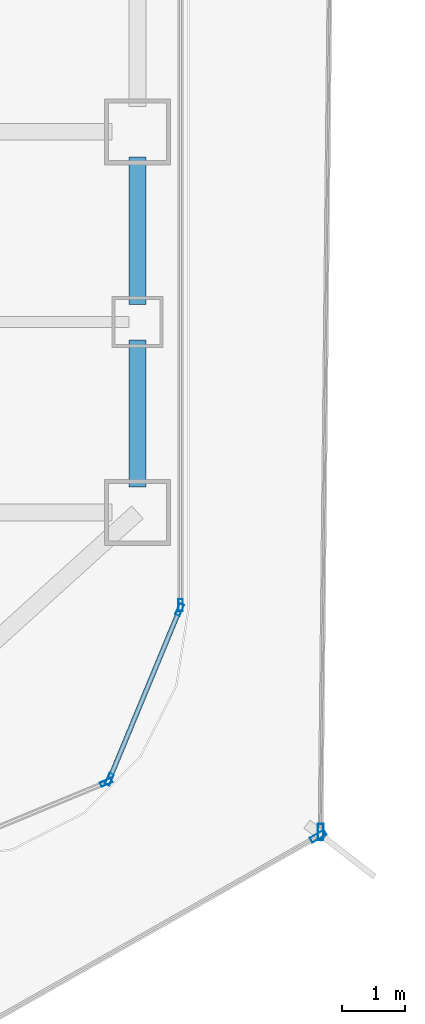
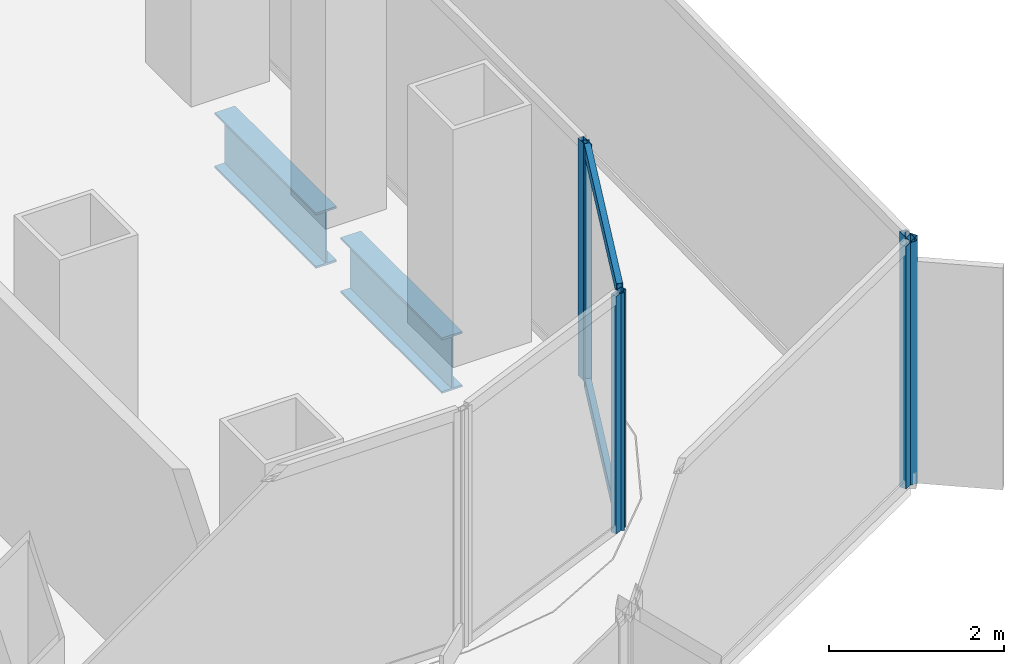
# One storey, part 8 of 21: 8 members, 2 beams, 5 elements without a shape of their own.
"""IFC4 building model written with IfcOpenShell, lengths in metres."""

from ifc_helpers import new_model, si_unit, direction, frame, origin, origin_2d, place, context, subcontext, project, spatial, hollow_rectangle, i_section, extrude, source, transform, mapped, material, layer, layer_set, material_profile, profile_set, type_object, element, aggregate, save


model = new_model("IFC4")

# Units and contexts
model_context = context("Model", 3, precision=1e-05, world=origin(), true_north=direction((0.0, 1.0)))
body_context = subcontext(model_context, "Body", "Model", "MODEL_VIEW")
ifc_project = project(units=[si_unit("LENGTHUNIT", "METRE"), si_unit("AREAUNIT", "SQUARE_METRE"), si_unit("VOLUMEUNIT", "CUBIC_METRE"), si_unit("PLANEANGLEUNIT", "RADIAN"), si_unit("MASSUNIT", "GRAM", prefix="KILO")], contexts=[model_context])

# Site, building, storey
site_placement = place(None, origin())
site = spatial("IfcSite", under=ifc_project, at=site_placement, CompositionType="ELEMENT")
building_placement = place(site_placement, origin())
building = spatial("IfcBuilding", under=site, at=building_placement, Name="Kolveth Station Tower", CompositionType="ELEMENT")
storey_placement = place(building_placement, frame((0.0, 0.0, 40.5)))
storey = spatial("IfcBuildingStorey", under=building, at=storey_placement, Name="L10", CompositionType="ELEMENT", Elevation=40.5)

# Beams
ifc_material_1 = material(Name="Steel S355", Category="steel")
ifc_material_profile_1 = material_profile(ifc_material_1, i_section(OverallWidth=0.26904296875, OverallDepth=0.77490234375, WebThickness=0.01708984375, FlangeThickness=0.0283203125, at=origin_2d()), Name="W760x220")
ifc_profile_set_1 = profile_set([ifc_material_profile_1], Name="Steel S355")
beam_type = type_object("IfcBeamType", Name="Beam_SP1", PredefinedType="SPANDREL", material=ifc_profile_set_1)
shared_shape_1 = source(origin(), body_context, "Body", "SweptSolid", [
    extrude(i_section(OverallWidth=0.26904296875, OverallDepth=0.77490234375, WebThickness=0.01708984375, FlangeThickness=0.0283203125, at=origin_2d()), origin(), (0.0, 0.0, 1.0), 2.320068359375),
])
for number, where, z_axis, x_axis, name in (
    (1, (46.199951171875, 5.89990234375, -0.66748046875), (0.0, 1.0, 0.0), (-1.0, 0.0, 0.0), "L10 Perimeter Spandrel BM-L10-PE-1"),
    (2, (46.199951171875, 8.780029296875, -0.66748046875), (0.0, 1.0, 0.0), (-1.0, 0.0, 0.0), "L10 Perimeter Spandrel BM-L10-PE-2"),
):
    element("IfcBeam", number, at=place(storey_placement, frame(where, z_axis=z_axis, x_axis=x_axis)), inside=storey, type_object=beam_type, Name=name, PredefinedType="SPANDREL", context=body_context, shape_type="MappedRepresentation", body=[
        mapped(shared_shape_1, transform((0.0, 0.0, 0.0), x_axis=(1.0, 0.0, 0.0), y_axis=(0.0, 1.0, 0.0), z_axis=(0.0, 0.0, 1.0), scale=1.0)),
    ])

# Curtain wall, member
ifc_material_2 = material(Name="Aluminium 6063-T6 and low-E dark glass", Category="aluminium")
ifc_layer_1 = layer(ifc_material_2, 0.179931640625)
ifc_layer_set_1 = layer_set([ifc_layer_1], Name="Aluminium 6063-T6 and low-E dark glass")
curtain_wall_type_1 = type_object("IfcCurtainWallType", Name="CurtainWall_CW-Z1", PredefinedType="NOTDEFINED", material=ifc_layer_set_1)
curtain_wall_1_placement = place(storey_placement, origin())
curtain_wall_1 = element("IfcCurtainWall", 3, at=curtain_wall_1_placement, inside=storey, type_object=curtain_wall_type_1, Name="L10 Inner Thermal Curtain Wall 1", PredefinedType="NOTDEFINED")
ifc_material_3 = material(Name="Black anodized aluminium 6063-T6", Category="aluminium")
ifc_material_profile_2 = material_profile(ifc_material_3, hollow_rectangle(XDim=0.074951171875, YDim=0.18994140625, WallThickness=0.0048828125, at=origin_2d()), Name="ALU-75x190x5")
ifc_profile_set_2 = profile_set([ifc_material_profile_2], Name="Black anodized aluminium 6063-T6")
member_type_1 = type_object("IfcMemberType", Name="Mullion_ML1", PredefinedType="MULLION", material=ifc_profile_set_2)
shared_shape_2 = source(origin(), body_context, "Body", "SweptSolid", [
    extrude(hollow_rectangle(XDim=0.074951171875, YDim=0.18994140625, WallThickness=0.0048828125, at=origin_2d()), origin(), (0.0, 0.0, 1.0), 3.320068359375),
])
member_1_placement = place(storey_placement, frame((45.708984375, 1.241943359375, 0.0), z_axis=(0.0, 0.0, 1.0), x_axis=(-0.382672990201, 0.923883857728, 0.0)))
member_1 = element("IfcMember", 4, at=member_1_placement, type_object=member_type_1, Name="CW-Z1 mullion 2", PredefinedType="MULLION", context=body_context, shape_type="MappedRepresentation", body=[
    mapped(shared_shape_2, transform((0.0, 0.0, 0.0), x_axis=(1.0, 0.0, 0.0), y_axis=(0.0, 1.0, 0.0), z_axis=(0.0, 0.0, 1.0), scale=1.0)),
])
aggregate(curtain_wall_1, [member_1])

# Curtain wall, members
curtain_wall_2_placement = place(storey_placement, origin())
curtain_wall_2 = element("IfcCurtainWall", 5, at=curtain_wall_2_placement, inside=storey, type_object=curtain_wall_type_1, Name="L10 Inner Thermal Curtain Wall 2", PredefinedType="NOTDEFINED")
member_2_placement = place(storey_placement, frame((45.758056640625, 1.291015625, 0.0), z_axis=(0.0, 0.0, 1.0), x_axis=(-0.923883857728, 0.382672990201, 0.0)))
member_2 = element("IfcMember", 6, at=member_2_placement, type_object=member_type_1, Name="CW-Z1 mullion 1", PredefinedType="MULLION", context=body_context, shape_type="MappedRepresentation", body=[
    mapped(shared_shape_2, transform((0.0, 0.0, 0.0), x_axis=(1.0, 0.0, 0.0), y_axis=(0.0, 1.0, 0.0), z_axis=(0.0, 0.0, 1.0), scale=1.0)),
])
member_3_placement = place(storey_placement, frame((46.86572265625, 3.96533203125, 0.0), z_axis=(0.0, 0.0, 1.0), x_axis=(-0.923883857728, 0.382672990201, 0.0)))
member_3 = element("IfcMember", 7, at=member_3_placement, type_object=member_type_1, Name="CW-Z1 mullion 2", PredefinedType="MULLION", context=body_context, shape_type="MappedRepresentation", body=[
    mapped(shared_shape_2, transform((0.0, 0.0, 0.0), x_axis=(1.0, 0.0, 0.0), y_axis=(0.0, 1.0, 0.0), z_axis=(0.0, 0.0, 1.0), scale=1.0)),
])

# Curtain wall, member
curtain_wall_3_placement = place(storey_placement, origin())
curtain_wall_3 = element("IfcCurtainWall", 8, at=curtain_wall_3_placement, inside=storey, type_object=curtain_wall_type_1, Name="L10 Inner Thermal Curtain Wall 3", PredefinedType="NOTDEFINED")
member_4_placement = place(storey_placement, frame((46.8798828125, 4.03759765625, 0.0), z_axis=(0.0, 0.0, 1.0), x_axis=(-1.0, 0.0, 0.0)))
member_4 = element("IfcMember", 9, at=member_4_placement, type_object=member_type_1, Name="CW-Z1 mullion 1", PredefinedType="MULLION", context=body_context, shape_type="MappedRepresentation", body=[
    mapped(shared_shape_2, transform((0.0, 0.0, 0.0), x_axis=(1.0, 0.0, 0.0), y_axis=(0.0, 1.0, 0.0), z_axis=(0.0, 0.0, 1.0), scale=1.0)),
])
aggregate(curtain_wall_3, [member_4])

# Member
ifc_material_profile_3 = material_profile(ifc_material_3, hollow_rectangle(XDim=0.074951171875, YDim=0.159912109375, WallThickness=0.0048828125, at=origin_2d()), Name="ALU-75x160x5")
ifc_profile_set_3 = profile_set([ifc_material_profile_3], Name="Black anodized aluminium 6063-T6")
member_type_2 = type_object("IfcMemberType", Name="Transom_TR1", PredefinedType="USERDEFINED", material=ifc_profile_set_3)
shared_shape_3 = source(origin(), body_context, "Body", "SweptSolid", [
    extrude(hollow_rectangle(XDim=0.074951171875, YDim=0.159912109375, WallThickness=0.0048828125, at=origin_2d()), origin(), (0.0, 0.0, 1.0), 2.819580078125),
])
member_5_placement = place(storey_placement, frame((45.772216796875, 1.32568359375, 0.03759765625), z_axis=(0.382708655389, 0.923869084389, 0.0), x_axis=(-0.923869084389, 0.382708655389, 0.0)))
member_5 = element("IfcMember", 10, at=member_5_placement, type_object=member_type_2, Name="CW-Z1 transom 1.1", ObjectType="TRANSOM", PredefinedType="USERDEFINED", context=body_context, shape_type="MappedRepresentation", body=[
    mapped(shared_shape_3, transform((0.0, 0.0, 0.0), x_axis=(1.0, 0.0, 0.0), y_axis=(0.0, 1.0, 0.0), z_axis=(0.0, 0.0, 1.0), scale=1.0)),
])

member_6_placement = place(storey_placement, frame((45.772216796875, 1.32568359375, 3.282470703125), z_axis=(0.382708655389, 0.923869084389, 0.0), x_axis=(-0.923869084389, 0.382708655389, 0.0)))
member_6 = element("IfcMember", 11, at=member_6_placement, type_object=member_type_2, Name="CW-Z1 transom 1.2", ObjectType="TRANSOM", PredefinedType="USERDEFINED", context=body_context, shape_type="MappedRepresentation", body=[
    mapped(shared_shape_3, transform((0.0, 0.0, 0.0), x_axis=(1.0, 0.0, 0.0), y_axis=(0.0, 1.0, 0.0), z_axis=(0.0, 0.0, 1.0), scale=1.0)),
])

aggregate(curtain_wall_2, [member_2, member_3, member_5, member_6])

# Curtain wall, member
ifc_material_4 = material(Name="Black anodized aluminium 6063-T6 and dark solar glass", Category="aluminium")
ifc_layer_2 = layer(ifc_material_4, 0.159912109375)
ifc_layer_set_2 = layer_set([ifc_layer_2], Name="Black anodized aluminium 6063-T6 and dark solar glass")
curtain_wall_type_2 = type_object("IfcCurtainWallType", Name="OUTER SKIN CW-OS", PredefinedType="NOTDEFINED", material=ifc_layer_set_2)
curtain_wall_4_placement = place(storey_placement, origin())
curtain_wall_4 = element("IfcCurtainWall", 12, at=curtain_wall_4_placement, inside=storey, type_object=curtain_wall_type_2, Name="L10 Outer Ventilated Skin Curtain Wall 1", PredefinedType="NOTDEFINED")
ifc_material_profile_4 = material_profile(ifc_material_3, hollow_rectangle(XDim=0.090087890625, YDim=0.260009765625, WallThickness=0.0048828125, at=origin_2d()), Name="ALU-90x260x5")
ifc_profile_set_4 = profile_set([ifc_material_profile_4], Name="Black anodized aluminium 6063-T6")
member_type_3 = type_object("IfcMemberType", Name="FIN MULLION ML-OS", PredefinedType="MULLION", material=ifc_profile_set_4)
shared_shape_4 = source(origin(), body_context, "Body", "SweptSolid", [
    extrude(hollow_rectangle(XDim=0.090087890625, YDim=0.260009765625, WallThickness=0.0048828125, at=origin_2d()), origin(), (0.0, 0.0, 1.0), 3.389892578125),
])
member_7_placement = place(storey_placement, frame((49.049560546875, 0.39208984375, 0.0), z_axis=(0.0, 0.0, 1.0), x_axis=(-0.493340822347, 0.869836095484, 0.0)))
member_7 = element("IfcMember", 13, at=member_7_placement, type_object=member_type_3, Name="CW-OS mullion 2", PredefinedType="MULLION", context=body_context, shape_type="MappedRepresentation", body=[
    mapped(shared_shape_4, transform((0.0, 0.0, 0.0), x_axis=(1.0, 0.0, 0.0), y_axis=(0.0, 1.0, 0.0), z_axis=(0.0, 0.0, 1.0), scale=1.0)),
])
aggregate(curtain_wall_4, [member_7])

curtain_wall_5_placement = place(storey_placement, origin())
curtain_wall_5 = element("IfcCurtainWall", 14, at=curtain_wall_5_placement, inside=storey, type_object=curtain_wall_type_2, Name="L10 Outer Ventilated Skin Curtain Wall 2", PredefinedType="NOTDEFINED")
member_8_placement = place(storey_placement, frame((49.08935546875, 0.459228515625, 0.0), z_axis=(0.0, 0.0, 1.0), x_axis=(-0.999944379669, 0.010546922203, 0.0)))
member_8 = element("IfcMember", 15, at=member_8_placement, type_object=member_type_3, Name="CW-OS mullion 1", PredefinedType="MULLION", context=body_context, shape_type="MappedRepresentation", body=[
    mapped(shared_shape_4, transform((0.0, 0.0, 0.0), x_axis=(1.0, 0.0, 0.0), y_axis=(0.0, 1.0, 0.0), z_axis=(0.0, 0.0, 1.0), scale=1.0)),
])
aggregate(curtain_wall_5, [member_8])

save(model, "model.ifc")
